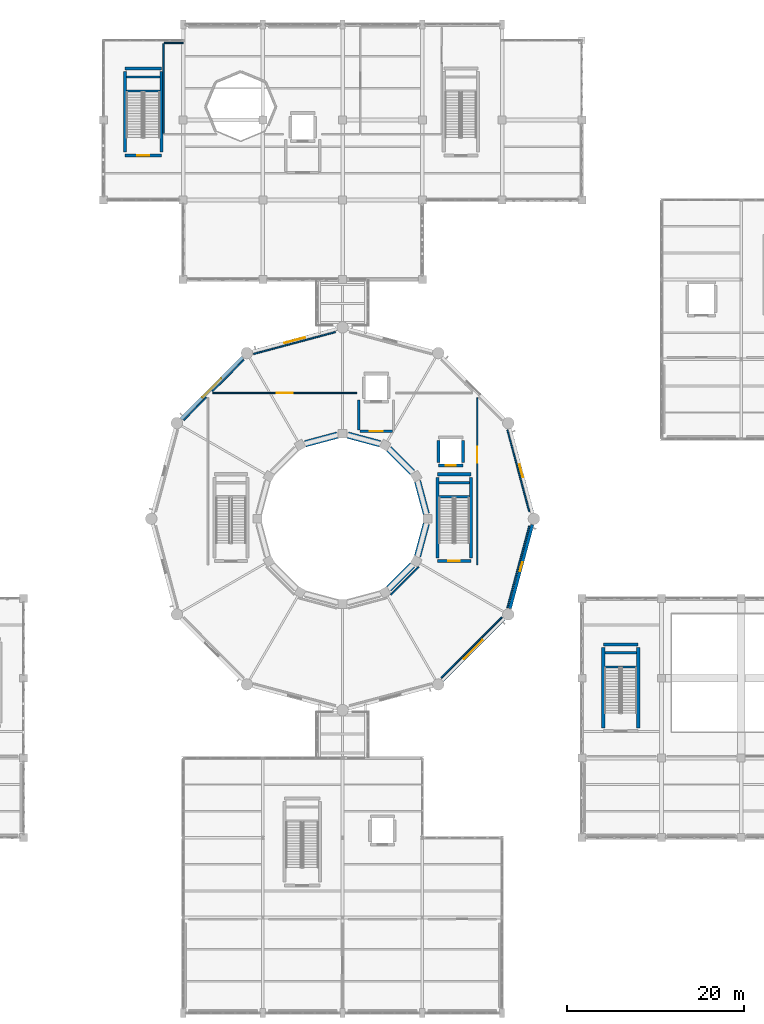
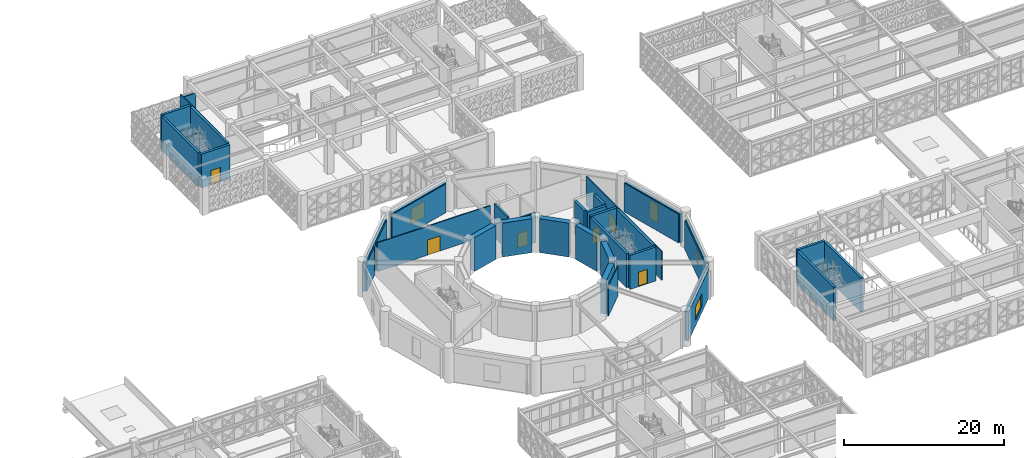
# One storey, part 134 of 155: 44 walls, 6 doors, 5 windows, 11 openings.
"""IFC4 building model written with IfcOpenShell, lengths in metres."""

from ifc_helpers import new_model, si_unit, direction, frame, frame_2d, origin, place, context, subcontext, project, spatial, rectangle, extrude, material, layer, layer_set, type_object, element, fill, save


model = new_model("IFC4")

# Units and contexts
model_context = context("Model", 3, precision=1e-05, world=origin(), true_north=direction((0.0, 1.0)))
body_context = subcontext(model_context, "Body", "Model", "MODEL_VIEW")
ifc_project = project(units=[si_unit("LENGTHUNIT", "METRE"), si_unit("AREAUNIT", "SQUARE_METRE"), si_unit("VOLUMEUNIT", "CUBIC_METRE"), si_unit("PLANEANGLEUNIT", "RADIAN"), si_unit("MASSUNIT", "GRAM", prefix="KILO")], contexts=[model_context])

# Site, building, storey
site_placement = place(None, origin())
site = spatial("IfcSite", under=ifc_project, at=site_placement, CompositionType="ELEMENT")
building_placement = place(site_placement, origin())
building = spatial("IfcBuilding", under=site, at=building_placement, Name="Haizhuo Lancet Aquarium", CompositionType="ELEMENT")
storey_placement = place(building_placement, frame((0.0, 0.0, 10.800048828125)))
storey = spatial("IfcBuildingStorey", under=building, at=storey_placement, Name="L02", CompositionType="ELEMENT", Elevation=10.800048828125)

# Wall, opening, window
ifc_material_1 = material(Name="Shandong Grey Limestone Ashlar", Category="masonry")
ifc_layer_1 = layer(ifc_material_1, 0.360107421875)
ifc_layer_set_1 = layer_set([ifc_layer_1], Name="Shandong Grey Limestone Ashlar")
wall_type_1 = type_object("IfcWallType", Name="EWL-ASH-360", PredefinedType="SOLIDWALL", material=ifc_layer_set_1)
wall_1_placement = place(storey_placement, frame((18.885986328125, 10.12890625, 0.0), z_axis=(0.0, 0.0, 1.0), x_axis=(0.258787599316, -0.965934251614, 0.0)))
wall_1 = element("IfcWall", 1, at=wall_1_placement, inside=storey, type_object=wall_type_1, Name="L02 V1 limestone drum wall bay 1", PredefinedType="SOLIDWALL", context=body_context, shape_type="SweptSolid", body=[
    extrude(rectangle(XDim=9.79150390625, YDim=0.360107421875, at=frame_2d((4.895751953125, 0.0))), origin(), (0.0, 0.0, 1.0), 4.39501953125),
])
opening_1_placement = place(wall_1_placement, frame((4.14599609375, 0.0, 0.89990234375)))
opening_1 = element("IfcOpeningElement", 2, at=opening_1_placement, cuts=wall_1, Name="Opening WN-03", PredefinedType="OPENING", context=body_context, shape_type="SweptSolid", body=[
    extrude(rectangle(XDim=1.5, YDim=2.800048828125, at=frame_2d((0.75, 1.39990234375))), frame((0.0, 0.18994140625, 0.0), z_axis=(0.0, -1.0, 0.0), x_axis=(1.0, 0.0, 0.0)), (0.0, 0.0, 1.0), 0.380107),
])
ifc_material_2 = material(Name="Laminated Low-E Glass", Category="glass")
window_type_1 = type_object("IfcWindowType", Name="WIN-LAN-1500x2800", PartitioningType="SINGLE_PANEL", PredefinedType="WINDOW", material=ifc_material_2)
window_1_placement = place(opening_1_placement, origin())
window_1 = element("IfcWindow", 3, at=window_1_placement, inside=storey, type_object=window_type_1, Name="L02 Gothic lancet window 21", OverallHeight=2.800048828125, OverallWidth=1.5, PartitioningType="SINGLE_PANEL", PredefinedType="WINDOW", context=body_context, shape_type="SweptSolid", body=[
    extrude(rectangle(XDim=1.5, YDim=2.800048828125, at=frame_2d((0.75, 1.39990234375))), frame((0.0, 0.030029296875, 0.0), z_axis=(0.0, -1.0, 0.0), x_axis=(1.0, 0.0, 0.0)), (0.0, 0.0, 1.0), 0.06005859375),
])
fill(opening_1, window_1)

wall_2_placement = place(storey_placement, frame((-10.12890625, 18.885986328125, 0.0), z_axis=(0.0, 0.0, 1.0), x_axis=(0.965934251614, 0.258787599316, 0.0)))
wall_2 = element("IfcWall", 4, at=wall_2_placement, inside=storey, type_object=wall_type_1, Name="L02 V1 limestone drum wall bay 4", PredefinedType="SOLIDWALL", context=body_context, shape_type="SweptSolid", body=[
    extrude(rectangle(XDim=9.79150390625, YDim=0.360107421875, at=frame_2d((4.895751953125, 0.0))), origin(), (0.0, 0.0, 1.0), 4.39501953125),
])
opening_2_placement = place(wall_2_placement, frame((3.696044921875, 0.0, 0.89990234375)))
opening_2 = element("IfcOpeningElement", 5, at=opening_2_placement, cuts=wall_2, Name="Opening WN-08", PredefinedType="OPENING", context=body_context, shape_type="SweptSolid", body=[
    extrude(rectangle(XDim=2.39990234375, YDim=2.39990234375, at=frame_2d((1.199951171875, 1.199951171875))), frame((0.0, 0.18994140625, 0.0), z_axis=(0.0, -1.0, 0.0), x_axis=(1.0, 0.0, 0.0)), (0.0, 0.0, 1.0), 0.380107),
])
window_type_2 = type_object("IfcWindowType", Name="WIN-LAN-2400x2400", PartitioningType="SINGLE_PANEL", PredefinedType="WINDOW", material=ifc_material_2)
window_2_placement = place(opening_2_placement, origin())
window_2 = element("IfcWindow", 6, at=window_2_placement, inside=storey, type_object=window_type_2, Name="L02 Gothic lancet window 24", OverallHeight=2.39990234375, OverallWidth=2.39990234375, PartitioningType="SINGLE_PANEL", PredefinedType="WINDOW", context=body_context, shape_type="SweptSolid", body=[
    extrude(rectangle(XDim=2.39990234375, YDim=2.39990234375, at=frame_2d((1.199951171875, 1.199951171875))), frame((0.0, 0.030029296875, 0.0), z_axis=(0.0, -1.0, 0.0), x_axis=(1.0, 0.0, 0.0)), (0.0, 0.0, 1.0), 0.06005859375),
])
fill(opening_2, window_2)

wall_3_placement = place(storey_placement, frame((-18.215087890625, 11.291015625, 0.0), z_axis=(0.0, 0.0, 1.0), x_axis=(0.707106781187, 0.707106781187, 0.0)))
wall_3 = element("IfcWall", 7, at=wall_3_placement, inside=storey, type_object=wall_type_1, Name="L02 V1 limestone drum wall bay 5", PredefinedType="SOLIDWALL", context=body_context, shape_type="SweptSolid", body=[
    extrude(rectangle(XDim=9.792236328125, YDim=0.360107421875, at=frame_2d((4.89599609375, 0.0))), origin(), (0.0, 0.0, 1.0), 4.39501953125),
])
opening_3_placement = place(wall_3_placement, frame((3.39599609375, 0.0, 0.89990234375)))
opening_3 = element("IfcOpeningElement", 8, at=opening_3_placement, cuts=wall_3, Name="Opening WN-10", PredefinedType="OPENING", context=body_context, shape_type="SweptSolid", body=[
    extrude(rectangle(XDim=3.0, YDim=2.0, at=frame_2d((1.5, 1.0))), frame((0.0, 0.18994140625, 0.0), z_axis=(0.0, -1.0, 0.0), x_axis=(1.0, 0.0, 0.0)), (0.0, 0.0, 1.0), 0.380107),
])
window_type_3 = type_object("IfcWindowType", Name="WIN-LAN-3000x2000", PartitioningType="SINGLE_PANEL", PredefinedType="WINDOW", material=ifc_material_2)
window_3_placement = place(opening_3_placement, origin())
window_3 = element("IfcWindow", 9, at=window_3_placement, inside=storey, type_object=window_type_3, Name="L02 Gothic lancet window 25", OverallHeight=2.0, OverallWidth=3.0, PartitioningType="SINGLE_PANEL", PredefinedType="WINDOW", context=body_context, shape_type="SweptSolid", body=[
    extrude(rectangle(XDim=3.0, YDim=2.0, at=frame_2d((1.5, 1.0))), frame((0.0, 0.030029296875, 0.0), z_axis=(0.0, -1.0, 0.0), x_axis=(1.0, 0.0, 0.0)), (0.0, 0.0, 1.0), 0.06005859375),
])
fill(opening_3, window_3)

wall_4_placement = place(storey_placement, frame((18.215087890625, -11.291015625, 0.0), z_axis=(0.0, 0.0, 1.0), x_axis=(-0.707106781187, -0.707106781187, 0.0)))
wall_4 = element("IfcWall", 10, at=wall_4_placement, inside=storey, type_object=wall_type_1, Name="L02 V1 limestone drum wall bay 11", PredefinedType="SOLIDWALL", context=body_context, shape_type="SweptSolid", body=[
    extrude(rectangle(XDim=9.792236328125, YDim=0.360107421875, at=frame_2d((4.89599609375, 0.0))), origin(), (0.0, 0.0, 1.0), 4.39501953125),
])
opening_4_placement = place(wall_4_placement, frame((3.39599609375, 0.0, 0.89990234375)))
opening_4 = element("IfcOpeningElement", 11, at=opening_4_placement, cuts=wall_4, Name="Opening WN-10", PredefinedType="OPENING", context=body_context, shape_type="SweptSolid", body=[
    extrude(rectangle(XDim=3.0, YDim=2.0, at=frame_2d((1.5, 1.0))), frame((0.0, 0.18994140625, 0.0), z_axis=(0.0, -1.0, 0.0), x_axis=(1.0, 0.0, 0.0)), (0.0, 0.0, 1.0), 0.380107),
])
window_4_placement = place(opening_4_placement, origin())
window_4 = element("IfcWindow", 12, at=window_4_placement, inside=storey, type_object=window_type_3, Name="L02 Gothic lancet window 31", OverallHeight=2.0, OverallWidth=3.0, PartitioningType="SINGLE_PANEL", PredefinedType="WINDOW", context=body_context, shape_type="SweptSolid", body=[
    extrude(rectangle(XDim=3.0, YDim=2.0, at=frame_2d((1.5, 1.0))), frame((0.0, 0.030029296875, 0.0), z_axis=(0.0, -1.0, 0.0), x_axis=(1.0, 0.0, 0.0)), (0.0, 0.0, 1.0), 0.06005859375),
])
fill(opening_4, window_4)

wall_5_placement = place(storey_placement, frame((21.419921875, -0.6708984375, 0.0), z_axis=(0.0, 0.0, 1.0), x_axis=(-0.258787599316, -0.965934251614, 0.0)))
wall_5 = element("IfcWall", 13, at=wall_5_placement, inside=storey, type_object=wall_type_1, Name="L02 V1 limestone drum wall bay 12", PredefinedType="SOLIDWALL", context=body_context, shape_type="SweptSolid", body=[
    extrude(rectangle(XDim=9.79150390625, YDim=0.360107421875, at=frame_2d((4.895751953125, 0.0))), origin(), (0.0, 0.0, 1.0), 4.39501953125),
])
opening_5_placement = place(wall_5_placement, frame((4.37109375, 0.0, 0.89990234375)))
opening_5 = element("IfcOpeningElement", 14, at=opening_5_placement, cuts=wall_5, Name="Opening WN-12", PredefinedType="OPENING", context=body_context, shape_type="SweptSolid", body=[
    extrude(rectangle(XDim=1.050048828125, YDim=2.0, at=frame_2d((0.52490234375, 1.0))), frame((0.0, 0.18994140625, 0.0), z_axis=(0.0, -1.0, 0.0), x_axis=(1.0, 0.0, 0.0)), (0.0, 0.0, 1.0), 0.380107),
])
window_type_4 = type_object("IfcWindowType", Name="WIN-LAN-1050x2000", PartitioningType="SINGLE_PANEL", PredefinedType="WINDOW", material=ifc_material_2)
window_5_placement = place(opening_5_placement, origin())
window_5 = element("IfcWindow", 15, at=window_5_placement, inside=storey, type_object=window_type_4, Name="L02 Gothic lancet window 32", OverallHeight=2.0, OverallWidth=1.050048828125, PartitioningType="SINGLE_PANEL", PredefinedType="WINDOW", context=body_context, shape_type="SweptSolid", body=[
    extrude(rectangle(XDim=1.050048828125, YDim=2.0, at=frame_2d((0.52490234375, 1.0))), frame((0.0, 0.030029296875, 0.0), z_axis=(0.0, -1.0, 0.0), x_axis=(1.0, 0.0, 0.0)), (0.0, 0.0, 1.0), 0.06005859375),
])
fill(opening_5, window_5)

# Wall, opening, door
ifc_material_3 = material(Name="Concrete C40/50", Category="concrete")
ifc_layer_2 = layer(ifc_material_3, 0.239990234375)
ifc_layer_set_2 = layer_set([ifc_layer_2], Name="Concrete C40/50")
wall_type_2 = type_object("IfcWallType", Name="IWL-FIRE-240", PredefinedType="PARTITIONING", material=ifc_layer_set_2)
wall_6_placement = place(storey_placement, frame((1.949951171875, 9.8798828125, 0.0), z_axis=(0.0, 0.0, 1.0), x_axis=(1.0, 0.0, 0.0)))
wall_6 = element("IfcWall", 16, at=wall_6_placement, inside=storey, type_object=wall_type_2, Name="L02 LF-01 firefighting lift lobby firewall S", PredefinedType="PARTITIONING", context=body_context, shape_type="SweptSolid", body=[
    extrude(rectangle(XDim=3.699951171875, YDim=0.239990234375, at=frame_2d((1.85009765625, 0.0))), origin(), (0.0, 0.0, 1.0), 4.544921875),
])
opening_6_placement = place(wall_6_placement, frame((1.10009765625, 0.0, 0.0)))
opening_6 = element("IfcOpeningElement", 17, at=opening_6_placement, cuts=wall_6, Name="Opening FD-03", PredefinedType="OPENING", context=body_context, shape_type="SweptSolid", body=[
    extrude(rectangle(XDim=1.5, YDim=2.199951171875, at=frame_2d((0.75, 1.10009765625))), frame((0.0, 0.1298828125, 0.0), z_axis=(0.0, -1.0, 0.0), x_axis=(1.0, 0.0, 0.0)), (0.0, 0.0, 1.0), 0.25999),
])
ifc_material_4 = material(Name="Steel S355", Category="steel")
door_type_1 = type_object("IfcDoorType", Name="IDR-FFL-1500x2200", OperationType="NOTDEFINED", PredefinedType="DOOR", material=ifc_material_4)
door_1_placement = place(opening_6_placement, origin())
door_1 = element("IfcDoor", 18, at=door_1_placement, inside=storey, type_object=door_type_1, Name="L02 LF-01 firefighting lift lobby door", OperationType="SINGLE_SWING_RIGHT", OverallHeight=2.199951171875, OverallWidth=1.5, PredefinedType="DOOR", context=body_context, shape_type="SweptSolid", body=[
    extrude(rectangle(XDim=1.5, YDim=2.199951171875, at=frame_2d((0.75, 1.10009765625))), frame((0.0, 0.02490234375, 0.0), z_axis=(0.0, -1.0, 0.0), x_axis=(1.0, 0.0, 0.0)), (0.0, 0.0, 1.0), 0.050048828125),
])
fill(opening_6, door_1)

# Walls
wall_7_placement = place(storey_placement, frame((1.830078125, 10.0, 0.0), z_axis=(0.0, 0.0, 1.0), x_axis=(0.0, 1.0, 0.0)))
element("IfcWall", 19, at=wall_7_placement, inside=storey, type_object=wall_type_2, Name="L02 LF-01 firefighting lift lobby firewall W", PredefinedType="PARTITIONING", context=body_context, shape_type="SweptSolid", body=[
    extrude(rectangle(XDim=3.39990234375, YDim=0.239990234375, at=frame_2d((1.699951171875, 0.0))), origin(), (0.0, 0.0, 1.0), 5.10986328125),
])
ifc_material_5 = material(Name="Gypsum Fireboard Partition")
ifc_layer_3 = layer(ifc_material_5, 0.14990234375)
ifc_layer_set_3 = layer_set([ifc_layer_3], Name="Gypsum Fireboard Partition")
wall_type_3 = type_object("IfcWallType", Name="IWL-STD-150", PredefinedType="PARTITIONING", material=ifc_layer_set_3)
wall_8_placement = place(storey_placement, frame((11.12890625, -17.946044921875, 0.0), z_axis=(0.0, 0.0, 1.0), x_axis=(0.707474066545, 0.706739304953, 0.0)))
element("IfcWall", 20, at=wall_8_placement, inside=storey, type_object=wall_type_3, Name="L02 partition wall 352", PredefinedType="PARTITIONING", context=body_context, shape_type="SweptSolid", body=[
    extrude(rectangle(XDim=9.635986328125, YDim=0.14990234375, at=frame_2d((4.81787109375, 0.0))), origin(), (0.0, 0.0, 1.0), 4.39501953125),
])
wall_9_placement = place(storey_placement, frame((18.59912109375, -10.0400390625, 0.0), z_axis=(0.0, 0.0, 1.0), x_axis=(0.258779912716, 0.965936310931, 0.0)))
element("IfcWall", 21, at=wall_9_placement, inside=storey, type_object=wall_type_3, Name="L02 partition wall 353", PredefinedType="PARTITIONING", context=body_context, shape_type="SweptSolid", body=[
    extrude(rectangle(XDim=9.559814453125, YDim=0.14990234375, at=frame_2d((4.77978515625, 0.0))), origin(), (0.0, 0.0, 1.0), 4.39501953125),
])
wall_10_placement = place(storey_placement, frame((21.076904296875, 0.787109375, 0.0), z_axis=(0.0, 0.0, 1.0), x_axis=(-0.258883855342, 0.965908458107, 0.0)))
element("IfcWall", 22, at=wall_10_placement, inside=storey, type_object=wall_type_3, Name="L02 partition wall 354", PredefinedType="PARTITIONING", context=body_context, shape_type="SweptSolid", body=[
    extrude(rectangle(XDim=9.57958984375, YDim=0.14990234375, at=frame_2d((4.789794921875, 0.0))), origin(), (0.0, 0.0, 1.0), 4.39501953125),
])

# Wall, opening, door
wall_11_placement = place(storey_placement, frame((15.199951171875, 13.639892578125, 0.0), z_axis=(0.0, 0.0, 1.0), x_axis=(0.0, -1.0, 0.0)))
wall_11 = element("IfcWall", 23, at=wall_11_placement, inside=storey, type_object=wall_type_3, Name="L02 partition wall 356", PredefinedType="PARTITIONING", context=body_context, shape_type="SweptSolid", body=[
    extrude(rectangle(XDim=18.83984375, YDim=0.14990234375, at=frame_2d((9.419921875, 0.0))), origin(), (0.0, 0.0, 1.0), 4.39501953125),
])
opening_7_placement = place(wall_11_placement, frame((5.506103515625, 0.0, 0.0)))
opening_7 = element("IfcOpeningElement", 24, at=opening_7_placement, cuts=wall_11, Name="Opening D-02", PredefinedType="OPENING", context=body_context, shape_type="SweptSolid", body=[
    extrude(rectangle(XDim=1.800048828125, YDim=2.300048828125, at=frame_2d((0.89990234375, 1.14990234375))), frame((0.0, 0.0849609375, 0.0), z_axis=(0.0, -1.0, 0.0), x_axis=(1.0, 0.0, 0.0)), (0.0, 0.0, 1.0), 0.169902),
])
ifc_material_6 = material(Name="Aluminium 6063-T6", Category="aluminium")
door_type_2 = type_object("IfcDoorType", Name="IDR-GAL-1800x2300", OperationType="NOTDEFINED", PredefinedType="DOOR", material=ifc_material_6)
door_2_placement = place(opening_7_placement, origin())
door_2 = element("IfcDoor", 25, at=door_2_placement, inside=storey, type_object=door_type_2, Name="L02 Ocean Tank Midwater Shark Overlook door", OperationType="DOUBLE_DOOR_SINGLE_SWING", OverallHeight=2.300048828125, OverallWidth=1.800048828125, PredefinedType="DOOR", context=body_context, shape_type="SweptSolid", body=[
    extrude(rectangle(XDim=1.800048828125, YDim=2.300048828125, at=frame_2d((0.89990234375, 1.14990234375))), frame((0.0, 0.02490234375, 0.0), z_axis=(0.0, -1.0, 0.0), x_axis=(1.0, 0.0, 0.0)), (0.0, 0.0, 1.0), 0.050048828125),
])
fill(opening_7, door_2)

# Walls
wall_12_placement = place(storey_placement, frame((8.593017578125, -5.43994140625, 0.0), z_axis=(0.0, 0.0, 1.0), x_axis=(-0.707106781187, -0.707106781187, 0.0)))
element("IfcWall", 26, at=wall_12_placement, inside=storey, type_object=wall_type_3, Name="L02 partition wall 357", PredefinedType="PARTITIONING", context=body_context, shape_type="SweptSolid", body=[
    extrude(rectangle(XDim=4.459228515625, YDim=0.14990234375, at=frame_2d((2.2294921875, 0.0))), origin(), (0.0, 0.0, 1.0), 4.544921875),
])
wall_13_placement = place(storey_placement, frame((-15.37109375, 13.7109375, 0.0), z_axis=(0.0, 0.0, 1.0), x_axis=(-0.706972707094, -0.707240829862, 0.0)))
element("IfcWall", 27, at=wall_13_placement, inside=storey, type_object=wall_type_3, Name="L02 partition wall 362", PredefinedType="PARTITIONING", context=body_context, shape_type="SweptSolid", body=[
    extrude(rectangle(XDim=3.642333984375, YDim=0.14990234375, at=frame_2d((1.8212890625, 0.0))), origin(), (0.0, 0.0, 1.0), 4.39501953125),
])

# Wall, opening, door
wall_14_placement = place(storey_placement, frame((-14.639892578125, 14.199951171875, 0.0), z_axis=(0.0, 0.0, 1.0), x_axis=(1.0, 0.0, 0.0)))
wall_14 = element("IfcWall", 28, at=wall_14_placement, inside=storey, type_object=wall_type_3, Name="L02 partition wall 364", PredefinedType="PARTITIONING", context=body_context, shape_type="SweptSolid", body=[
    extrude(rectangle(XDim=16.264892578125, YDim=0.14990234375, at=frame_2d((8.13232421875, 0.0))), origin(), (0.0, 0.0, 1.0), 4.39501953125),
])
opening_8_placement = place(wall_14_placement, frame((7.23193359375, 0.0, 0.0)))
opening_8 = element("IfcOpeningElement", 29, at=opening_8_placement, cuts=wall_14, Name="Opening D-02", PredefinedType="OPENING", context=body_context, shape_type="SweptSolid", body=[
    extrude(rectangle(XDim=1.800048828125, YDim=2.300048828125, at=frame_2d((0.89990234375, 1.14990234375))), frame((0.0, 0.0849609375, 0.0), z_axis=(0.0, -1.0, 0.0), x_axis=(1.0, 0.0, 0.0)), (0.0, 0.0, 1.0), 0.169902),
])
door_3_placement = place(opening_8_placement, origin())
door_3 = element("IfcDoor", 30, at=door_3_placement, inside=storey, type_object=door_type_2, Name="L02 Ocean Tank Midwater Shark Overlook door", OperationType="DOUBLE_DOOR_SINGLE_SWING", OverallHeight=2.300048828125, OverallWidth=1.800048828125, PredefinedType="DOOR", context=body_context, shape_type="SweptSolid", body=[
    extrude(rectangle(XDim=1.800048828125, YDim=2.300048828125, at=frame_2d((0.89990234375, 1.14990234375))), frame((0.0, 0.02490234375, 0.0), z_axis=(0.0, -1.0, 0.0), x_axis=(1.0, 0.0, 0.0)), (0.0, 0.0, 1.0), 0.050048828125),
])
fill(opening_8, door_3)

# Walls
wall_15_placement = place(storey_placement, frame((-0.805908203125, 21.072998046875, 0.0), z_axis=(0.0, 0.0, 1.0), x_axis=(-0.965936310931, -0.258779912716, 0.0)))
element("IfcWall", 31, at=wall_15_placement, inside=storey, type_object=wall_type_3, Name="L02 partition wall 368", PredefinedType="PARTITIONING", context=body_context, shape_type="SweptSolid", body=[
    extrude(rectangle(XDim=9.559814453125, YDim=0.14990234375, at=frame_2d((4.77978515625, 0.0))), origin(), (0.0, 0.0, 1.0), 4.39501953125),
])
wall_16_placement = place(storey_placement, frame((-11.135986328125, 17.946044921875, 0.0), z_axis=(0.0, 0.0, 1.0), x_axis=(-0.707106781187, -0.707106781187, 0.0)))
element("IfcWall", 32, at=wall_16_placement, inside=storey, type_object=wall_type_3, Name="L02 partition wall 369", PredefinedType="PARTITIONING", context=body_context, shape_type="SweptSolid", body=[
    extrude(rectangle(XDim=5.0556640625, YDim=0.14990234375, at=frame_2d((2.52783203125, 0.0))), origin(), (0.0, 0.0, 1.0), 4.39501953125),
])
wall_17_placement = place(storey_placement, frame((-20.197998046875, 53.6201171875, 0.0), z_axis=(0.0, 0.0, 1.0), x_axis=(-0.000192994303, -0.999999981377, 0.0)))
element("IfcWall", 33, at=wall_17_placement, inside=storey, type_object=wall_type_3, Name="L02 partition wall 395", PredefinedType="PARTITIONING", context=body_context, shape_type="SweptSolid", body=[
    extrude(rectangle(XDim=10.1201171875, YDim=0.14990234375, at=frame_2d((5.06005859375, 0.0))), origin(), (0.0, 0.0, 1.0), 5.050048828125),
])
wall_18_placement = place(storey_placement, frame((-17.972900390625, 53.700927734375, 0.0), z_axis=(0.0, 0.0, 1.0), x_axis=(-0.999999894621, -0.000459084079, 0.0)))
element("IfcWall", 34, at=wall_18_placement, inside=storey, type_object=wall_type_3, Name="L02 partition wall 408", PredefinedType="PARTITIONING", context=body_context, shape_type="SweptSolid", body=[
    extrude(rectangle(XDim=2.127197265625, YDim=0.14990234375, at=frame_2d((1.0634765625, 0.0))), origin(), (0.0, 0.0, 1.0), 4.445068359375),
])
ifc_layer_4 = layer(ifc_material_3, 0.35009765625)
ifc_layer_set_4 = layer_set([ifc_layer_4], Name="Concrete C40/50")
wall_type_4 = type_object("IfcWallType", Name="WL-CORE-350", PredefinedType="SHEAR", material=ifc_layer_set_4)
for number, where, z_axis, x_axis, name in (
    (35, (10.89990234375, 2.47509765625, 0.0), (0.0, 0.0, 1.0), (1.0, 0.0, 0.0), "L02 ST-02 landing support wall"),
    (36, (10.89990234375, 4.074951171875, 0.0), (0.0, 0.0, 1.0), (1.0, 0.0, 0.0), "L02 ST-02 far landing support wall"),
):
    element("IfcWall", number, at=place(storey_placement, frame(where, z_axis=z_axis, x_axis=x_axis)), inside=storey, type_object=wall_type_4, Name=name, PredefinedType="SHEAR", context=body_context, shape_type="SweptSolid", body=[
        extrude(rectangle(XDim=3.400146484375, YDim=0.25, at=frame_2d((1.7001953125, 0.0))), origin(), (0.0, 0.0, 1.0), 2.5),
    ])

# Wall, opening, door
wall_19_placement = place(storey_placement, frame((10.72509765625, -4.77490234375, 0.0), z_axis=(0.0, 0.0, 1.0), x_axis=(1.0, 0.0, 0.0)))
wall_19 = element("IfcWall", 37, at=wall_19_placement, inside=storey, type_object=wall_type_4, Name="L02 ST-02 core shear wall S", PredefinedType="SHEAR", context=body_context, shape_type="SweptSolid", body=[
    extrude(rectangle(XDim=3.75, YDim=0.35009765625, at=frame_2d((1.875, 0.0))), origin(), (0.0, 0.0, 1.0), 5.159912109375),
])
opening_9_placement = place(wall_19_placement, frame((1.22509765625, 0.0, 0.0)))
opening_9 = element("IfcOpeningElement", 38, at=opening_9_placement, cuts=wall_19, Name="Opening FD-02", PredefinedType="OPENING", context=body_context, shape_type="SweptSolid", body=[
    extrude(rectangle(XDim=1.300048828125, YDim=2.199951171875, at=frame_2d((0.64990234375, 1.10009765625))), frame((0.0, 0.18505859375, 0.0), z_axis=(0.0, -1.0, 0.0), x_axis=(1.0, 0.0, 0.0)), (0.0, 0.0, 1.0), 0.370098),
])
door_type_3 = type_object("IfcDoorType", Name="IDR-STAIR-1300x2200", OperationType="NOTDEFINED", PredefinedType="DOOR", material=ifc_material_4)
door_4_placement = place(opening_9_placement, origin())
door_4 = element("IfcDoor", 39, at=door_4_placement, inside=storey, type_object=door_type_3, Name="L02 ST-02 stairwell fire door", OperationType="SINGLE_SWING_LEFT", OverallHeight=2.199951171875, OverallWidth=1.300048828125, PredefinedType="DOOR", context=body_context, shape_type="SweptSolid", body=[
    extrude(rectangle(XDim=1.300048828125, YDim=2.199951171875, at=frame_2d((0.64990234375, 1.10009765625))), frame((0.0, 0.02490234375, 0.0), z_axis=(0.0, -1.0, 0.0), x_axis=(1.0, 0.0, 0.0)), (0.0, 0.0, 1.0), 0.050048828125),
])
fill(opening_9, door_4)

# Walls
wall_20_placement = place(storey_placement, frame((10.72509765625, 5.02490234375, 0.0), z_axis=(0.0, 0.0, 1.0), x_axis=(1.0, 0.0, 0.0)))
element("IfcWall", 40, at=wall_20_placement, inside=storey, type_object=wall_type_4, Name="L02 ST-02 core shear wall N", PredefinedType="SHEAR", context=body_context, shape_type="SweptSolid", body=[
    extrude(rectangle(XDim=3.75, YDim=0.35009765625, at=frame_2d((1.875, 0.0))), origin(), (0.0, 0.0, 1.0), 5.159912109375),
])
for number, where, z_axis, x_axis, name in (
    (41, (10.72509765625, -4.425048828125, 0.0), (0.0, 0.0, 1.0), (0.0, 1.0, 0.0), "L02 ST-02 core shear wall W"),
    (42, (14.47509765625, -4.425048828125, 0.0), (0.0, 0.0, 1.0), (0.0, 1.0, 0.0), "L02 ST-02 core shear wall E"),
):
    element("IfcWall", number, at=place(storey_placement, frame(where, z_axis=z_axis, x_axis=x_axis)), inside=storey, type_object=wall_type_4, Name=name, PredefinedType="SHEAR", context=body_context, shape_type="SweptSolid", body=[
        extrude(rectangle(XDim=9.10009765625, YDim=0.35009765625, at=frame_2d((4.550048828125, 0.0))), origin(), (0.0, 0.0, 1.0), 5.159912109375),
    ])
for number, where, z_axis, x_axis, name in (
    (43, (29.60009765625, -16.72509765625, 0.0), (0.0, 0.0, 1.0), (1.0, 0.0, 0.0), "L02 ST-04 landing support wall"),
    (44, (29.60009765625, -15.125, 0.0), (0.0, 0.0, 1.0), (1.0, 0.0, 0.0), "L02 ST-04 far landing support wall"),
):
    element("IfcWall", number, at=place(storey_placement, frame(where, z_axis=z_axis, x_axis=x_axis)), inside=storey, type_object=wall_type_4, Name=name, PredefinedType="SHEAR", context=body_context, shape_type="SweptSolid", body=[
        extrude(rectangle(XDim=3.599853515625, YDim=0.25, at=frame_2d((1.7998046875, 0.0))), origin(), (0.0, 0.0, 1.0), 2.5),
    ])
wall_21_placement = place(storey_placement, frame((29.425048828125, -14.175048828125, 0.0), z_axis=(0.0, 0.0, 1.0), x_axis=(1.0, 0.0, 0.0)))
element("IfcWall", 45, at=wall_21_placement, inside=storey, type_object=wall_type_4, Name="L02 ST-04 core shear wall N", PredefinedType="SHEAR", context=body_context, shape_type="SweptSolid", body=[
    extrude(rectangle(XDim=3.949951171875, YDim=0.35009765625, at=frame_2d((1.97509765625, 0.0))), origin(), (0.0, 0.0, 1.0), 5.159912109375),
])
for number, where, z_axis, x_axis, name in (
    (46, (29.425048828125, -23.625, 0.0), (0.0, 0.0, 1.0), (0.0, 1.0, 0.0), "L02 ST-04 core shear wall W"),
    (47, (33.375, -23.625, 0.0), (0.0, 0.0, 1.0), (0.0, 1.0, 0.0), "L02 ST-04 core shear wall E"),
):
    element("IfcWall", number, at=place(storey_placement, frame(where, z_axis=z_axis, x_axis=x_axis)), inside=storey, type_object=wall_type_4, Name=name, PredefinedType="SHEAR", context=body_context, shape_type="SweptSolid", body=[
        extrude(rectangle(XDim=9.10009765625, YDim=0.35009765625, at=frame_2d((4.550048828125, 0.0))), origin(), (0.0, 0.0, 1.0), 5.159912109375),
    ])
for number, where, z_axis, x_axis, name in (
    (48, (-24.39990234375, 48.27490234375, 0.0), (0.0, 0.0, 1.0), (1.0, 0.0, 0.0), "L02 ST-07 landing support wall"),
    (49, (-24.39990234375, 49.875, 0.0), (0.0, 0.0, 1.0), (1.0, 0.0, 0.0), "L02 ST-07 far landing support wall"),
):
    element("IfcWall", number, at=place(storey_placement, frame(where, z_axis=z_axis, x_axis=x_axis)), inside=storey, type_object=wall_type_4, Name=name, PredefinedType="SHEAR", context=body_context, shape_type="SweptSolid", body=[
        extrude(rectangle(XDim=3.7998046875, YDim=0.25, at=frame_2d((1.89990234375, 0.0))), origin(), (0.0, 0.0, 1.0), 2.5),
    ])

# Wall, opening, door
wall_22_placement = place(storey_placement, frame((-24.574951171875, 41.02490234375, 0.0), z_axis=(0.0, 0.0, 1.0), x_axis=(1.0, 0.0, 0.0)))
wall_22 = element("IfcWall", 50, at=wall_22_placement, inside=storey, type_object=wall_type_4, Name="L02 ST-07 core shear wall S", PredefinedType="SHEAR", context=body_context, shape_type="SweptSolid", body=[
    extrude(rectangle(XDim=4.14990234375, YDim=0.35009765625, at=frame_2d((2.074951171875, 0.0))), origin(), (0.0, 0.0, 1.0), 5.159912109375),
])
opening_10_placement = place(wall_22_placement, frame((1.375, 0.0, 0.0)))
opening_10 = element("IfcOpeningElement", 51, at=opening_10_placement, cuts=wall_22, Name="Opening FD-01", PredefinedType="OPENING", context=body_context, shape_type="SweptSolid", body=[
    extrude(rectangle(XDim=1.39990234375, YDim=2.199951171875, at=frame_2d((0.699951171875, 1.10009765625))), frame((0.0, 0.18505859375, 0.0), z_axis=(0.0, -1.0, 0.0), x_axis=(1.0, 0.0, 0.0)), (0.0, 0.0, 1.0), 0.370098),
])
door_type_4 = type_object("IfcDoorType", Name="IDR-STAIR-1400x2200", OperationType="NOTDEFINED", PredefinedType="DOOR", material=ifc_material_4)
door_5_placement = place(opening_10_placement, origin())
door_5 = element("IfcDoor", 52, at=door_5_placement, inside=storey, type_object=door_type_4, Name="L02 ST-07 stairwell fire door", OperationType="SINGLE_SWING_RIGHT", OverallHeight=2.199951171875, OverallWidth=1.39990234375, PredefinedType="DOOR", context=body_context, shape_type="SweptSolid", body=[
    extrude(rectangle(XDim=1.39990234375, YDim=2.199951171875, at=frame_2d((0.699951171875, 1.10009765625))), frame((0.0, 0.02490234375, 0.0), z_axis=(0.0, -1.0, 0.0), x_axis=(1.0, 0.0, 0.0)), (0.0, 0.0, 1.0), 0.050048828125),
])
fill(opening_10, door_5)

# Walls
wall_23_placement = place(storey_placement, frame((-24.574951171875, 50.824951171875, 0.0), z_axis=(0.0, 0.0, 1.0), x_axis=(1.0, 0.0, 0.0)))
element("IfcWall", 53, at=wall_23_placement, inside=storey, type_object=wall_type_4, Name="L02 ST-07 core shear wall N", PredefinedType="SHEAR", context=body_context, shape_type="SweptSolid", body=[
    extrude(rectangle(XDim=4.14990234375, YDim=0.35009765625, at=frame_2d((2.074951171875, 0.0))), origin(), (0.0, 0.0, 1.0), 5.159912109375),
])
for number, where, z_axis, x_axis, name in (
    (54, (-24.574951171875, 41.375, 0.0), (0.0, 0.0, 1.0), (0.0, 1.0, 0.0), "L02 ST-07 core shear wall W"),
    (55, (-20.425048828125, 41.375, 0.0), (0.0, 0.0, 1.0), (0.0, 1.0, 0.0), "L02 ST-07 core shear wall E"),
):
    element("IfcWall", number, at=place(storey_placement, frame(where, z_axis=z_axis, x_axis=x_axis)), inside=storey, type_object=wall_type_4, Name=name, PredefinedType="SHEAR", context=body_context, shape_type="SweptSolid", body=[
        extrude(rectangle(XDim=9.10009765625, YDim=0.35009765625, at=frame_2d((4.550048828125, 0.0))), origin(), (0.0, 0.0, 1.0), 5.159912109375),
    ])

# Wall, opening, door
wall_24_placement = place(storey_placement, frame((10.824951171875, 6.02490234375, 0.0), z_axis=(0.0, 0.0, 1.0), x_axis=(1.0, 0.0, 0.0)))
wall_24 = element("IfcWall", 56, at=wall_24_placement, inside=storey, type_object=wall_type_4, Name="L02 LP-01 lift shaft wall -Y", PredefinedType="SHEAR", context=body_context, shape_type="SweptSolid", body=[
    extrude(rectangle(XDim=2.75, YDim=0.35009765625, at=frame_2d((1.375, 0.0))), origin(), (0.0, 0.0, 1.0), 5.159912109375),
])
opening_11_placement = place(wall_24_placement, frame((0.824951171875, 0.0, 0.0)))
opening_11 = element("IfcOpeningElement", 57, at=opening_11_placement, cuts=wall_24, Name="Opening LD-01", PredefinedType="OPENING", context=body_context, shape_type="SweptSolid", body=[
    extrude(rectangle(XDim=1.10009765625, YDim=2.199951171875, at=frame_2d((0.550048828125, 1.10009765625))), frame((0.0, 0.18505859375, 0.0), z_axis=(0.0, -1.0, 0.0), x_axis=(1.0, 0.0, 0.0)), (0.0, 0.0, 1.0), 0.370098),
])
door_type_5 = type_object("IfcDoorType", Name="IDR-LIFT-1100x2200", OperationType="NOTDEFINED", PredefinedType="DOOR", material=ifc_material_4)
door_6_placement = place(opening_11_placement, origin())
door_6 = element("IfcDoor", 58, at=door_6_placement, inside=storey, type_object=door_type_5, Name="L02 LP-01 sliding lift landing door", OperationType="DOUBLE_DOOR_SLIDING", OverallHeight=2.199951171875, OverallWidth=1.10009765625, PredefinedType="DOOR", context=body_context, shape_type="SweptSolid", body=[
    extrude(rectangle(XDim=1.10009765625, YDim=2.199951171875, at=frame_2d((0.550048828125, 1.10009765625))), frame((0.0, 0.02490234375, 0.0), z_axis=(0.0, -1.0, 0.0), x_axis=(1.0, 0.0, 0.0)), (0.0, 0.0, 1.0), 0.050048828125),
])
fill(opening_11, door_6)

# Walls
for number, where, z_axis, x_axis, name in (
    (59, (10.824951171875, 6.375, 0.0), (0.0, 0.0, 1.0), (0.0, 1.0, 0.0), "L02 LP-01 lift shaft wall -X"),
    (60, (13.574951171875, 6.375, 0.0), (0.0, 0.0, 1.0), (0.0, 1.0, 0.0), "L02 LP-01 lift shaft wall +X"),
):
    element("IfcWall", number, at=place(storey_placement, frame(where, z_axis=z_axis, x_axis=x_axis)), inside=storey, type_object=wall_type_4, Name=name, PredefinedType="SHEAR", context=body_context, shape_type="SweptSolid", body=[
        extrude(rectangle(XDim=2.449951171875, YDim=0.35009765625, at=frame_2d((1.22509765625, 0.0))), origin(), (0.0, 0.0, 1.0), 5.159912109375),
    ])
ifc_material_7 = material(Name="Concrete C45/55", Category="concrete")
ifc_layer_5 = layer(ifc_material_7, 0.75)
ifc_layer_set_5 = layer_set([ifc_layer_5], Name="Concrete C45/55")
wall_type_5 = type_object("IfcWallType", Name="WL-TANK-750", PredefinedType="SHEAR", material=ifc_layer_set_5)
wall_25_placement = place(storey_placement, frame((9.445068359375, 0.580078125, 0.0), z_axis=(0.0, 0.0, 1.0), x_axis=(-0.259009169026, 0.965874862682, 0.0)))
element("IfcWall", 61, at=wall_25_placement, inside=storey, type_object=wall_type_5, Name="L02 Pelagic Ocean Tank hydrostatic wall chord 1", PredefinedType="SHEAR", context=body_context, shape_type="SweptSolid", body=[
    extrude(rectangle(XDim=3.7685546875, YDim=0.75, at=frame_2d((1.88427734375, 0.0))), origin(), (0.0, 0.0, 1.0), 5.159912109375),
])
wall_26_placement = place(storey_placement, frame((7.889892578125, 5.22412109375, 0.0), z_axis=(0.0, 0.0, 1.0), x_axis=(-0.707106781187, 0.707106781187, 0.0)))
element("IfcWall", 62, at=wall_26_placement, inside=storey, type_object=wall_type_5, Name="L02 Pelagic Ocean Tank hydrostatic wall chord 2", PredefinedType="SHEAR", context=body_context, shape_type="SweptSolid", body=[
    extrude(rectangle(XDim=3.77001953125, YDim=0.75, at=frame_2d((1.885009765625, 0.0))), origin(), (0.0, 0.0, 1.0), 5.159912109375),
])
for number, where, z_axis, x_axis, name in (
    (63, (4.219970703125, 8.468994140625, 0.0), (0.0, 0.0, 1.0), (-0.965874862682, 0.259009169026, 0.0), "L02 Pelagic Ocean Tank hydrostatic wall chord 3"),
    (64, (-0.580078125, 9.445068359375, 0.0), (0.0, 0.0, 1.0), (-0.965874862682, -0.259009169026, 0.0), "L02 Pelagic Ocean Tank hydrostatic wall chord 4"),
):
    element("IfcWall", number, at=place(storey_placement, frame(where, z_axis=z_axis, x_axis=x_axis)), inside=storey, type_object=wall_type_5, Name=name, PredefinedType="SHEAR", context=body_context, shape_type="SweptSolid", body=[
        extrude(rectangle(XDim=3.7685546875, YDim=0.75, at=frame_2d((1.88427734375, 0.0))), origin(), (0.0, 0.0, 1.0), 5.159912109375),
    ])
wall_27_placement = place(storey_placement, frame((5.22412109375, -7.889892578125, 0.0), z_axis=(0.0, 0.0, 1.0), x_axis=(0.707106781187, 0.707106781187, 0.0)))
element("IfcWall", 65, at=wall_27_placement, inside=storey, type_object=wall_type_5, Name="L02 Pelagic Ocean Tank hydrostatic wall chord 11", PredefinedType="SHEAR", context=body_context, shape_type="SweptSolid", body=[
    extrude(rectangle(XDim=3.77001953125, YDim=0.75, at=frame_2d((1.885009765625, 0.0))), origin(), (0.0, 0.0, 1.0), 5.159912109375),
])
wall_28_placement = place(storey_placement, frame((8.468994140625, -4.219970703125, 0.0), z_axis=(0.0, 0.0, 1.0), x_axis=(0.259009169026, 0.965874862682, 0.0)))
element("IfcWall", 66, at=wall_28_placement, inside=storey, type_object=wall_type_5, Name="L02 Pelagic Ocean Tank hydrostatic wall chord 12", PredefinedType="SHEAR", context=body_context, shape_type="SweptSolid", body=[
    extrude(rectangle(XDim=3.7685546875, YDim=0.75, at=frame_2d((1.88427734375, 0.0))), origin(), (0.0, 0.0, 1.0), 5.159912109375),
])

save(model, "model.ifc")
